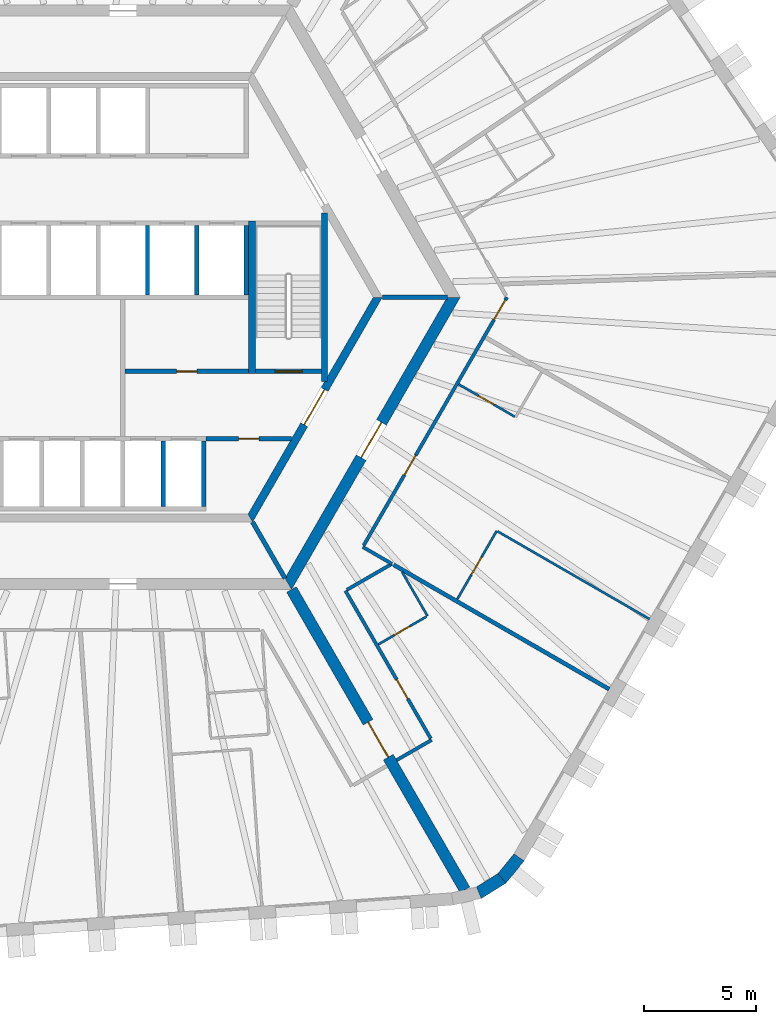
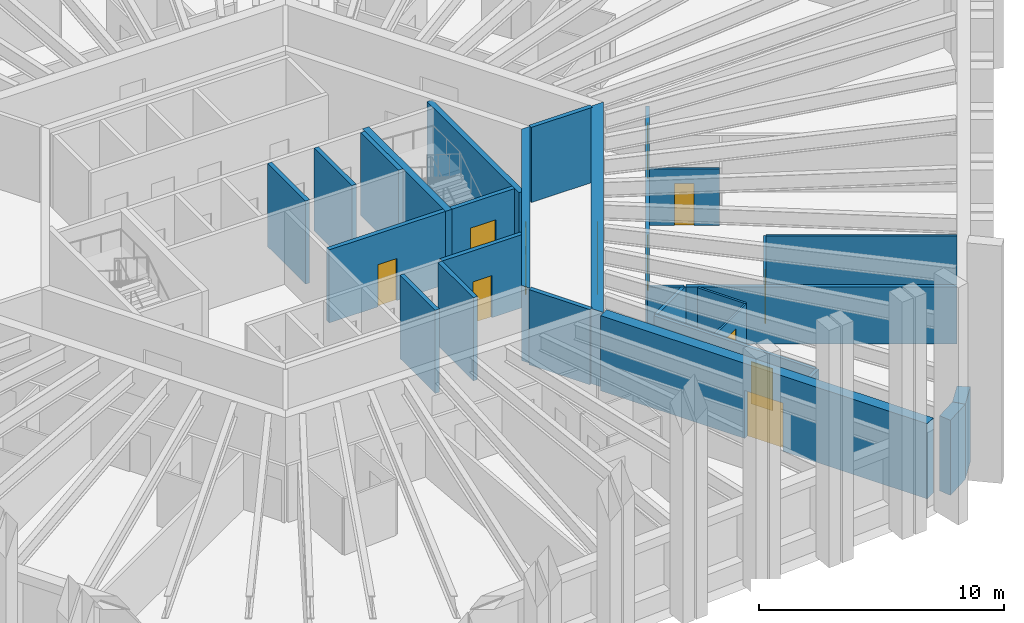
# One storey, part 5 of 10: 28 walls, 12 doors, 12 openings.
"""IFC4 building model written with IfcOpenShell, lengths in metres."""

from ifc_helpers import new_model, si_unit, direction, frame, frame_2d, origin, place, context, subcontext, project, spatial, polyline, rectangle, outline, extrude, material, layer, layer_set, type_object, element, fill, save


model = new_model("IFC4")

# Units and contexts
model_context = context("Model", 3, precision=1e-05, world=origin(), true_north=direction((0.0, 1.0)))
body_context = subcontext(model_context, "Body", "Model", "MODEL_VIEW")
ifc_project = project(units=[si_unit("LENGTHUNIT", "METRE"), si_unit("AREAUNIT", "SQUARE_METRE"), si_unit("VOLUMEUNIT", "CUBIC_METRE"), si_unit("PLANEANGLEUNIT", "RADIAN"), si_unit("MASSUNIT", "GRAM", prefix="KILO")], contexts=[model_context])

# Site, building, storey
site_placement = place(None, origin())
site = spatial("IfcSite", under=ifc_project, at=site_placement, CompositionType="ELEMENT")
building_placement = place(site_placement, origin())
building = spatial("IfcBuilding", under=site, at=building_placement, Name="Tarnside Tower", CompositionType="ELEMENT")
storey_placement = place(building_placement, frame((0.0, 0.0, 152.699951171875)))
storey = spatial("IfcBuildingStorey", under=building, at=storey_placement, Name="L35", CompositionType="ELEMENT", Elevation=152.699951171875)

# Wall
ifc_material_1 = material(Name="Gypsum board partition on steel studs", Category="steel")
ifc_layer_1 = layer(ifc_material_1, 0.10009765625)
ifc_layer_set_1 = layer_set([ifc_layer_1], Name="Bathroom wall 100")
wall_type_1 = type_object("IfcWallType", Name="Bathroom wall 100", PredefinedType="PARTITIONING", material=ifc_layer_set_1)
wall_1_placement = place(storey_placement, frame((12.42626953125, -12.22265625, 0.0), z_axis=(0.0, 0.0, 1.0), x_axis=(0.499919032186, -0.866072145528, 0.0)))
element("IfcWall", 1, at=wall_1_placement, inside=storey, type_object=wall_type_1, Name="Bathroom wall 11094", PredefinedType="PARTITIONING", context=body_context, shape_type="SweptSolid", body=[
    extrude(rectangle(XDim=2.257568359375, YDim=0.10009765625, at=frame_2d((1.12890625, 0.0))), origin(), (0.0, 0.0, 1.0), 2.823486328125),
])

# Wall, opening, door
wall_2_placement = place(storey_placement, frame((13.51171875, -14.202880859375, 0.0), z_axis=(0.0, 0.0, 1.0), x_axis=(-0.866006523861, -0.500032699561, 0.0)))
wall_2 = element("IfcWall", 2, at=wall_2_placement, inside=storey, type_object=wall_type_1, Name="Bathroom wall 11095", PredefinedType="PARTITIONING", context=body_context, shape_type="SweptSolid", body=[
    extrude(rectangle(XDim=2.474853515625, YDim=0.10009765625, at=frame_2d((1.2373046875, 0.0))), origin(), (0.0, 0.0, 1.0), 2.823486328125),
])
opening_1_placement = place(wall_2_placement, frame((0.85009765625, 0.0, 0.0)))
opening_1 = element("IfcOpeningElement", 3, at=opening_1_placement, cuts=wall_2, Name="Opening D-B1", PredefinedType="OPENING", context=body_context, shape_type="SweptSolid", body=[
    extrude(rectangle(XDim=0.800048828125, YDim=2.10009765625, at=frame_2d((0.39990234375, 1.050048828125))), frame((0.0, 0.06005859375, 0.0), z_axis=(0.0, -1.0, 0.0), x_axis=(1.0, 0.0, 0.0)), (0.0, 0.0, 1.0), 0.1201171875),
])
ifc_material_2 = material(Name="Timber door leaf", Category="wood")
door_type_1 = type_object("IfcDoorType", Name="Bathroom door 800", OperationType="NOTDEFINED", PredefinedType="DOOR", material=ifc_material_2)
door_1_placement = place(opening_1_placement, origin())
door_1 = element("IfcDoor", 4, at=door_1_placement, inside=storey, type_object=door_type_1, Name="Bathroom door 11026", OperationType="SINGLE_SWING_RIGHT", OverallHeight=2.10009765625, OverallWidth=0.800048828125, PredefinedType="DOOR", context=body_context, shape_type="SweptSolid", body=[
    extrude(rectangle(XDim=0.800048828125, YDim=2.10009765625, at=frame_2d((0.39990234375, 1.050048828125))), frame((0.0, 0.02490234375, 0.0), z_axis=(0.0, -1.0, 0.0), x_axis=(1.0, 0.0, 0.0)), (0.0, 0.0, 1.0), 0.050048828125),
])
fill(opening_1, door_1)

wall_3_placement = place(storey_placement, frame((17.430908203125, -5.308837890625, 0.0), z_axis=(0.0, 0.0, 1.0), x_axis=(-0.866018712932, 0.500011588718, 0.0)))
wall_3 = element("IfcWall", 5, at=wall_3_placement, inside=storey, type_object=wall_type_1, Name="Bathroom wall 11100", PredefinedType="PARTITIONING", context=body_context, shape_type="SweptSolid", body=[
    extrude(rectangle(XDim=2.875, YDim=0.10009765625, at=frame_2d((1.4375, 0.0))), origin(), (0.0, 0.0, 1.0), 2.823486328125),
])
opening_2_placement = place(wall_3_placement, frame((1.050048828125, 0.0, 0.0)))
opening_2 = element("IfcOpeningElement", 6, at=opening_2_placement, cuts=wall_3, Name="Opening D-B1", PredefinedType="OPENING", context=body_context, shape_type="SweptSolid", body=[
    extrude(rectangle(XDim=0.800048828125, YDim=2.10009765625, at=frame_2d((0.39990234375, 1.050048828125))), frame((0.0, 0.06005859375, 0.0), z_axis=(0.0, -1.0, 0.0), x_axis=(1.0, 0.0, 0.0)), (0.0, 0.0, 1.0), 0.1201171875),
])
door_2_placement = place(opening_2_placement, origin())
door_2 = element("IfcDoor", 7, at=door_2_placement, inside=storey, type_object=door_type_1, Name="Bathroom door 11028", OperationType="SINGLE_SWING_LEFT", OverallHeight=2.10009765625, OverallWidth=0.800048828125, PredefinedType="DOOR", context=body_context, shape_type="SweptSolid", body=[
    extrude(rectangle(XDim=0.800048828125, YDim=2.10009765625, at=frame_2d((0.39990234375, 1.050048828125))), frame((0.0, 0.02490234375, 0.0), z_axis=(0.0, -1.0, 0.0), x_axis=(1.0, 0.0, 0.0)), (0.0, 0.0, 1.0), 0.050048828125),
])
fill(opening_2, door_2)

ifc_material_3 = material(Name="Concrete C50/60", Category="concrete")
ifc_layer_2 = layer(ifc_material_3, 0.35009765625)
ifc_layer_set_2 = layer_set([ifc_layer_2], Name="Core block wall 350 C50/60")
wall_type_2 = type_object("IfcWallType", Name="Core block wall 350 C50/60", PredefinedType="SHEAR", material=ifc_layer_set_2)
wall_4_placement = place(storey_placement, frame((5.672607421875, -9.824951171875, 0.0), z_axis=(0.0, 0.0, 1.0), x_axis=(0.499995046907, 0.866028263435, 0.0)))
wall_4 = element("IfcWall", 8, at=wall_4_placement, inside=storey, type_object=wall_type_2, Name="L35 core block wall face 5", PredefinedType="SHEAR", context=body_context, shape_type="SweptSolid", body=[
    extrude(outline(polyline([(-0.10107421875, -0.175048828125), (11.44580078125, -0.175048828125), (11.24365234375, 0.175048828125), (0.10107421875, 0.175048828125), (-0.10107421875, -0.175048828125)])), origin(), (0.0, 0.0, 1.0), 3.75),
])
opening_3_placement = place(wall_4_placement, frame((4.80126953125, 0.0, 0.0)))
opening_3 = element("IfcOpeningElement", 9, at=opening_3_placement, cuts=wall_4, Name="Opening CD-FFL", PredefinedType="OPENING", context=body_context, shape_type="SweptSolid", body=[
    extrude(rectangle(XDim=1.800048828125, YDim=2.39990234375, at=frame_2d((0.89990234375, 1.199951171875))), frame((0.0, 0.18505859375, 0.0), z_axis=(0.0, -1.0, 0.0), x_axis=(1.0, 0.0, 0.0)), (0.0, 0.0, 1.0), 0.3701171875),
])
ifc_material_4 = material(Name="Steel fire door", Category="steel")
door_type_2 = type_object("IfcDoorType", Name="Firefighting lobby double door FD60S 1800x2400", OperationType="NOTDEFINED", PredefinedType="DOOR", material=ifc_material_4)
door_3_placement = place(opening_3_placement, origin())
door_3 = element("IfcDoor", 10, at=door_3_placement, inside=storey, type_object=door_type_2, Name="L35 lobby block door P4", OperationType="DOUBLE_DOOR_SINGLE_SWING", OverallHeight=2.39990234375, OverallWidth=1.800048828125, PredefinedType="DOOR", context=body_context, shape_type="SweptSolid", body=[
    extrude(rectangle(XDim=1.800048828125, YDim=2.39990234375, at=frame_2d((0.89990234375, 1.199951171875))), frame((0.0, 0.02490234375, 0.0), z_axis=(0.0, -1.0, 0.0), x_axis=(1.0, 0.0, 0.0)), (0.0, 0.0, 1.0), 0.050048828125),
])
fill(opening_3, door_3)

ifc_material_5 = material(Name="Concrete C40/50", Category="concrete")
ifc_layer_3 = layer(ifc_material_5, 0.199951171875)
ifc_layer_set_3 = layer_set([ifc_layer_3], Name="Core room partition 200 C40/50")
wall_type_3 = type_object("IfcWallType", Name="Core room partition 200 C40/50", PredefinedType="PARTITIONING", material=ifc_layer_set_3)
wall_5_placement = place(storey_placement, frame((0.10009765625, -3.300048828125, 0.0), z_axis=(0.0, 0.0, 1.0), x_axis=(1.0, 0.0, 0.0)))
wall_5 = element("IfcWall", 11, at=wall_5_placement, inside=storey, type_object=wall_type_3, Name="L35 core partition R3S1", PredefinedType="PARTITIONING", context=body_context, shape_type="SweptSolid", body=[
    extrude(rectangle(XDim=5.5, YDim=0.199951171875, at=frame_2d((2.75, 0.0))), origin(), (0.0, 0.0, 1.0), 3.650146484375),
])
opening_4_placement = place(wall_5_placement, frame((2.300048828125, 0.0, 0.0)))
opening_4 = element("IfcOpeningElement", 12, at=opening_4_placement, cuts=wall_5, Name="Opening CD-room", PredefinedType="OPENING", context=body_context, shape_type="SweptSolid", body=[
    extrude(rectangle(XDim=0.89990234375, YDim=2.10009765625, at=frame_2d((0.449951171875, 1.050048828125))), frame((0.0, 0.10986328125, 0.0), z_axis=(0.0, -1.0, 0.0), x_axis=(1.0, 0.0, 0.0)), (0.0, 0.0, 1.0), 0.219970703125),
])
door_type_3 = type_object("IfcDoorType", Name="Room door FD60 900x2100", OperationType="NOTDEFINED", PredefinedType="DOOR", material=ifc_material_4)
door_4_placement = place(opening_4_placement, origin())
door_4 = element("IfcDoor", 13, at=door_4_placement, inside=storey, type_object=door_type_3, Name="L35 core room door SR1", OperationType="SINGLE_SWING_LEFT", OverallHeight=2.10009765625, OverallWidth=0.89990234375, PredefinedType="DOOR", context=body_context, shape_type="SweptSolid", body=[
    extrude(rectangle(XDim=0.89990234375, YDim=2.10009765625, at=frame_2d((0.449951171875, 1.050048828125))), frame((0.0, 0.02490234375, 0.0), z_axis=(0.0, -1.0, 0.0), x_axis=(1.0, 0.0, 0.0)), (0.0, 0.0, 1.0), 0.050048828125),
])
fill(opening_4, door_4)

wall_6_placement = place(storey_placement, frame((3.699951171875, -6.300048828125, 0.0), z_axis=(0.0, 0.0, 1.0), x_axis=(1.0, 0.0, 0.0)))
wall_6 = element("IfcWall", 14, at=wall_6_placement, inside=storey, type_object=wall_type_3, Name="L35 core partition R4X", PredefinedType="PARTITIONING", context=body_context, shape_type="SweptSolid", body=[
    extrude(rectangle(XDim=3.8056640625, YDim=0.199951171875, at=frame_2d((1.90283203125, 0.0))), origin(), (0.0, 0.0, 1.0), 3.650146484375),
])
opening_5_placement = place(wall_6_placement, frame((1.452880859375, 0.0, 0.0)))
opening_5 = element("IfcOpeningElement", 15, at=opening_5_placement, cuts=wall_6, Name="Opening CD-room", PredefinedType="OPENING", context=body_context, shape_type="SweptSolid", body=[
    extrude(rectangle(XDim=0.89990234375, YDim=2.10009765625, at=frame_2d((0.449951171875, 1.050048828125))), frame((0.0, 0.10986328125, 0.0), z_axis=(0.0, -1.0, 0.0), x_axis=(1.0, 0.0, 0.0)), (0.0, 0.0, 1.0), 0.219970703125),
])
door_5_placement = place(opening_5_placement, origin())
door_5 = element("IfcDoor", 16, at=door_5_placement, inside=storey, type_object=door_type_3, Name="L35 core room door RX", OperationType="SINGLE_SWING_LEFT", OverallHeight=2.10009765625, OverallWidth=0.89990234375, PredefinedType="DOOR", context=body_context, shape_type="SweptSolid", body=[
    extrude(rectangle(XDim=0.89990234375, YDim=2.10009765625, at=frame_2d((0.449951171875, 1.050048828125))), frame((0.0, 0.02490234375, 0.0), z_axis=(0.0, -1.0, 0.0), x_axis=(1.0, 0.0, 0.0)), (0.0, 0.0, 1.0), 0.050048828125),
])
fill(opening_5, door_5)

ifc_material_6 = material(Name="Concrete C70/85", Category="concrete")
ifc_layer_4 = layer(ifc_material_6, 0.5)
ifc_layer_set_4 = layer_set([ifc_layer_4], Name="Core wall Z2 500 C70/85")
wall_type_4 = type_object("IfcWallType", Name="Core wall Z2 500 C70/85", PredefinedType="SHEAR", material=ifc_layer_set_4)
wall_7_placement = place(storey_placement, frame((7.361083984375, -12.75, 0.0), z_axis=(0.0, 0.0, 1.0), x_axis=(0.50000571537, 0.866022103989, 0.0)))
wall_7 = element("IfcWall", 17, at=wall_7_placement, inside=storey, type_object=wall_type_4, Name="L35 core wall face 5", PredefinedType="SHEAR", context=body_context, shape_type="SweptSolid", body=[
    extrude(outline(polyline([(-0.144287109375, -0.25), (14.86669921875, -0.25), (14.578125, 0.25), (0.144287109375, 0.25), (-0.144287109375, -0.25)])), origin(), (0.0, 0.0, 1.0), 3.75),
])
opening_6_placement = place(wall_7_placement, frame((6.489990234375, 0.0, 0.0)))
opening_6 = element("IfcOpeningElement", 18, at=opening_6_placement, cuts=wall_7, Name="Opening CD-FFL", PredefinedType="OPENING", context=body_context, shape_type="SweptSolid", body=[
    extrude(rectangle(XDim=1.800048828125, YDim=2.39990234375, at=frame_2d((0.89990234375, 1.199951171875))), frame((0.0, 0.260009765625, 0.0), z_axis=(0.0, -1.0, 0.0), x_axis=(1.0, 0.0, 0.0)), (0.0, 0.0, 1.0), 0.52001953125),
])
door_6_placement = place(opening_6_placement, origin())
door_6 = element("IfcDoor", 19, at=door_6_placement, inside=storey, type_object=door_type_2, Name="L35 core door P4", OperationType="DOUBLE_DOOR_SINGLE_SWING", OverallHeight=2.39990234375, OverallWidth=1.800048828125, PredefinedType="DOOR", context=body_context, shape_type="SweptSolid", body=[
    extrude(rectangle(XDim=1.800048828125, YDim=2.39990234375, at=frame_2d((0.89990234375, 1.199951171875))), frame((0.0, 0.02490234375, 0.0), z_axis=(0.0, -1.0, 0.0), x_axis=(1.0, 0.0, 0.0)), (0.0, 0.0, 1.0), 0.050048828125),
])
fill(opening_6, door_6)

wall_8_placement = place(storey_placement, frame((7.505615234375, -13.0, 0.0), z_axis=(0.0, 0.0, 1.0), x_axis=(0.499988271576, -0.866032175087, 0.0)))
wall_8 = element("IfcWall", 20, at=wall_8_placement, inside=storey, type_object=wall_type_4, Name="L35 spine wall 3", PredefinedType="SHEAR", context=body_context, shape_type="SweptSolid", body=[
    extrude(rectangle(XDim=15.423583984375, YDim=0.5, at=frame_2d((7.7119140625, 0.0))), origin(), (0.0, 0.0, 1.0), 3.75),
])
opening_7_placement = place(wall_8_placement, frame((6.811767578125, 0.0, 0.0)))
opening_7 = element("IfcOpeningElement", 21, at=opening_7_placement, cuts=wall_8, Name="Opening CD-SPN", PredefinedType="OPENING", context=body_context, shape_type="SweptSolid", body=[
    extrude(rectangle(XDim=1.800048828125, YDim=2.39990234375, at=frame_2d((0.89990234375, 1.199951171875))), frame((0.0, 0.260009765625, 0.0), z_axis=(0.0, -1.0, 0.0), x_axis=(1.0, 0.0, 0.0)), (0.0, 0.0, 1.0), 0.52001953125),
])
door_type_4 = type_object("IfcDoorType", Name="Spine passage double door FD60 1800x2400", OperationType="NOTDEFINED", PredefinedType="DOOR", material=ifc_material_4)
door_7_placement = place(opening_7_placement, origin())
door_7 = element("IfcDoor", 22, at=door_7_placement, inside=storey, type_object=door_type_4, Name="L35 spine passage door 3", OperationType="DOUBLE_DOOR_SINGLE_SWING", OverallHeight=2.39990234375, OverallWidth=1.800048828125, PredefinedType="DOOR", context=body_context, shape_type="SweptSolid", body=[
    extrude(rectangle(XDim=1.800048828125, YDim=2.39990234375, at=frame_2d((0.89990234375, 1.199951171875))), frame((0.0, 0.02490234375, 0.0), z_axis=(0.0, -1.0, 0.0), x_axis=(1.0, 0.0, 0.0)), (0.0, 0.0, 1.0), 0.050048828125),
])
fill(opening_7, door_7)

# Wall
ifc_layer_5 = layer(ifc_material_1, 0.14990234375)
ifc_layer_set_5 = layer_set([ifc_layer_5], Name="Corridor wall 150 EI 60")
wall_type_5 = type_object("IfcWallType", Name="Corridor wall 150 EI 60", PredefinedType="PARTITIONING", material=ifc_layer_set_5)
wall_9_placement = place(storey_placement, frame((12.177978515625, -20.5927734375, 0.0), z_axis=(0.0, 0.0, 1.0), x_axis=(0.866047807691, 0.499961193289, 0.0)))
element("IfcWall", 23, at=wall_9_placement, inside=storey, type_object=wall_type_5, Name="Corridor wall 11032", PredefinedType="PARTITIONING", context=body_context, shape_type="SweptSolid", body=[
    extrude(rectangle(XDim=1.800048828125, YDim=0.14990234375, at=frame_2d((0.89990234375, 0.0))), origin(), (0.0, 0.0, 1.0), 2.823486328125),
])

# Wall, opening, door
wall_10_placement = place(storey_placement, frame((13.69921875, -19.6279296875, 0.0), z_axis=(0.0, 0.0, 1.0), x_axis=(-0.499998968938, 0.866025999068, 0.0)))
wall_10 = element("IfcWall", 24, at=wall_10_placement, inside=storey, type_object=wall_type_5, Name="Corridor wall 11033", PredefinedType="PARTITIONING", context=body_context, shape_type="SweptSolid", body=[
    extrude(rectangle(XDim=7.591796875, YDim=0.14990234375, at=frame_2d((3.7958984375, 0.0))), origin(), (0.0, 0.0, 1.0), 2.823486328125),
])
opening_8_placement = place(wall_10_placement, frame((2.033447265625, 0.0, 0.0)))
opening_8 = element("IfcOpeningElement", 25, at=opening_8_placement, cuts=wall_10, Name="Opening D-E1", PredefinedType="OPENING", context=body_context, shape_type="SweptSolid", body=[
    extrude(rectangle(XDim=1.0, YDim=2.10009765625, at=frame_2d((0.5, 1.050048828125))), frame((0.0, 0.0849609375, 0.0), z_axis=(0.0, -1.0, 0.0), x_axis=(1.0, 0.0, 0.0)), (0.0, 0.0, 1.0), 0.169921875),
])
door_type_5 = type_object("IfcDoorType", Name="Unit entrance door 1000 FD30S", OperationType="NOTDEFINED", PredefinedType="DOOR", material=ifc_material_2)
door_8_placement = place(opening_8_placement, origin())
door_8 = element("IfcDoor", 26, at=door_8_placement, inside=storey, type_object=door_type_5, Name="Unit door 11025", OperationType="SINGLE_SWING_LEFT", OverallHeight=2.10009765625, OverallWidth=1.0, PredefinedType="DOOR", context=body_context, shape_type="SweptSolid", body=[
    extrude(rectangle(XDim=1.0, YDim=2.10009765625, at=frame_2d((0.5, 1.050048828125))), frame((0.0, 0.02490234375, 0.0), z_axis=(0.0, -1.0, 0.0), x_axis=(1.0, 0.0, 0.0)), (0.0, 0.0, 1.0), 0.050048828125),
])
fill(opening_8, door_8)

# Walls
wall_11_placement = place(storey_placement, frame((9.96826171875, -13.015625, 0.0), z_axis=(0.0, 0.0, 1.0), x_axis=(0.866022320763, 0.500005339912, 0.0)))
element("IfcWall", 27, at=wall_11_placement, inside=storey, type_object=wall_type_5, Name="Corridor wall 11035", PredefinedType="PARTITIONING", context=body_context, shape_type="SweptSolid", body=[
    extrude(rectangle(XDim=2.31591796875, YDim=0.14990234375, at=frame_2d((1.157958984375, 0.0))), origin(), (0.0, 0.0, 1.0), 2.823486328125),
])
wall_12_placement = place(storey_placement, frame((11.9765625, -11.859375, 0.0), z_axis=(0.0, 0.0, 1.0), x_axis=(-0.865993364801, 0.500055489042, 0.0)))
element("IfcWall", 28, at=wall_12_placement, inside=storey, type_object=wall_type_5, Name="Corridor wall 11036", PredefinedType="PARTITIONING", context=body_context, shape_type="SweptSolid", body=[
    extrude(rectangle(XDim=1.501708984375, YDim=0.14990234375, at=frame_2d((0.7509765625, 0.0))), origin(), (0.0, 0.0, 1.0), 2.823486328125),
])

# Wall, openings, doors
wall_13_placement = place(storey_placement, frame((10.713623046875, -11.04345703125, 0.0), z_axis=(0.0, 0.0, 1.0), x_axis=(0.500001980452, 0.866024260367, 0.0)))
wall_13 = element("IfcWall", 29, at=wall_13_placement, inside=storey, type_object=wall_type_5, Name="Corridor wall 11037", PredefinedType="PARTITIONING", context=body_context, shape_type="SweptSolid", body=[
    extrude(rectangle(XDim=12.751953125, YDim=0.14990234375, at=frame_2d((6.3759765625, 0.0))), origin(), (0.0, 0.0, 1.0), 2.823486328125),
])
opening_9_placement = place(wall_13_placement, frame((3.625, 0.0, 0.0)))
opening_9 = element("IfcOpeningElement", 30, at=opening_9_placement, cuts=wall_13, Name="Opening D-E1", PredefinedType="OPENING", context=body_context, shape_type="SweptSolid", body=[
    extrude(rectangle(XDim=1.0, YDim=2.10009765625, at=frame_2d((0.5, 1.050048828125))), frame((0.0, 0.0849609375, 0.0), z_axis=(0.0, -1.0, 0.0), x_axis=(1.0, 0.0, 0.0)), (0.0, 0.0, 1.0), 0.169921875),
])
opening_10_placement = place(wall_13_placement, frame((11.601806640625, 0.0, 0.0)))
opening_10 = element("IfcOpeningElement", 31, at=opening_10_placement, cuts=wall_13, Name="Opening D-E1", PredefinedType="OPENING", context=body_context, shape_type="SweptSolid", body=[
    extrude(rectangle(XDim=1.0, YDim=2.10009765625, at=frame_2d((0.5, 1.050048828125))), frame((0.0, 0.0849609375, 0.0), z_axis=(0.0, -1.0, 0.0), x_axis=(1.0, 0.0, 0.0)), (0.0, 0.0, 1.0), 0.169921875),
])
door_9_placement = place(opening_9_placement, origin())
door_9 = element("IfcDoor", 32, at=door_9_placement, inside=storey, type_object=door_type_5, Name="Unit door 11027", OperationType="SINGLE_SWING_RIGHT", OverallHeight=2.10009765625, OverallWidth=1.0, PredefinedType="DOOR", context=body_context, shape_type="SweptSolid", body=[
    extrude(rectangle(XDim=1.0, YDim=2.10009765625, at=frame_2d((0.5, 1.050048828125))), frame((0.0, 0.02490234375, 0.0), z_axis=(0.0, -1.0, 0.0), x_axis=(1.0, 0.0, 0.0)), (0.0, 0.0, 1.0), 0.050048828125),
])
fill(opening_9, door_9)
door_10_placement = place(opening_10_placement, origin())
door_10 = element("IfcDoor", 33, at=door_10_placement, inside=storey, type_object=door_type_5, Name="Unit door 11030", OperationType="SINGLE_SWING_LEFT", OverallHeight=2.10009765625, OverallWidth=1.0, PredefinedType="DOOR", context=body_context, shape_type="SweptSolid", body=[
    extrude(rectangle(XDim=1.0, YDim=2.10009765625, at=frame_2d((0.5, 1.050048828125))), frame((0.0, 0.02490234375, 0.0), z_axis=(0.0, -1.0, 0.0), x_axis=(1.0, 0.0, 0.0)), (0.0, 0.0, 1.0), 0.050048828125),
])
fill(opening_10, door_10)

# Walls
ifc_layer_6 = layer(ifc_material_1, 0.179931640625)
ifc_layer_set_6 = layer_set([ifc_layer_6], Name="Demising wall 180 EI 60")
wall_type_6 = type_object("IfcWallType", Name="Demising wall 180 EI 60", PredefinedType="PARTITIONING", material=ifc_layer_set_6)
wall_14_placement = place(storey_placement, frame((21.63134765625, -17.433349609375, 0.0), z_axis=(0.0, 0.0, 1.0), x_axis=(-0.866031296205, 0.499989793889, 0.0)))
element("IfcWall", 34, at=wall_14_placement, inside=storey, type_object=wall_type_6, Name="Demising wall 11096", PredefinedType="PARTITIONING", context=body_context, shape_type="SweptSolid", body=[
    extrude(rectangle(XDim=11.067138671875, YDim=0.179931640625, at=frame_2d((5.53369140625, 0.0))), origin(), (0.0, 0.0, 1.0), 2.823486328125),
])
ifc_layer_7 = layer(ifc_material_5, 0.199951171875)
ifc_layer_set_7 = layer_set([ifc_layer_7], Name="Lift shaft wall 200 C40/50")
wall_type_7 = type_object("IfcWallType", Name="Lift shaft wall 200 C40/50", PredefinedType="SHEAR", material=ifc_layer_set_7)
for number, where, z_axis, x_axis, name in (
    (35, (1.10009765625, 0.10009765625, -0.5), (0.0, 0.0, 1.0), (0.0, 1.0, 0.0), "L35 lift shaft partition R24"),
    (36, (3.300048828125, 0.10009765625, -0.5), (0.0, 0.0, 1.0), (0.0, 1.0, 0.0), "L35 lift shaft partition R25"),
    (37, (5.5, 0.10009765625, -0.5), (0.0, 0.0, 1.0), (0.0, 1.0, 0.0), "L35 lift shaft partition R26"),
):
    element("IfcWall", number, at=place(storey_placement, frame(where, z_axis=z_axis, x_axis=x_axis)), inside=storey, type_object=wall_type_7, Name=name, PredefinedType="SHEAR", context=body_context, shape_type="SweptSolid", body=[
        extrude(rectangle(XDim=3.099853515625, YDim=0.199951171875, at=frame_2d((1.5498046875, 0.0))), origin(), (0.0, 0.0, 1.0), 4.150146484375),
    ])
for number, where, z_axis, x_axis, name in (
    (38, (1.800048828125, -9.300048828125, -0.5), (0.0, 0.0, 1.0), (0.0, 1.0, 0.0), "L35 lift shaft partition R45"),
    (39, (3.60009765625, -9.300048828125, -0.5), (0.0, 0.0, 1.0), (0.0, 1.0, 0.0), "L35 lift shaft partition R46"),
):
    element("IfcWall", number, at=place(storey_placement, frame(where, z_axis=z_axis, x_axis=x_axis)), inside=storey, type_object=wall_type_7, Name=name, PredefinedType="SHEAR", context=body_context, shape_type="SweptSolid", body=[
        extrude(rectangle(XDim=2.900146484375, YDim=0.199951171875, at=frame_2d((1.4501953125, 0.0))), origin(), (0.0, 0.0, 1.0), 4.150146484375),
    ])
for number, where, z_axis, x_axis, name in (
    (40, (11.547119140625, 0.0, 0.0), (0.0, 0.0, 1.0), (1.0, 0.0, 0.0), "L35 core partition AR0"),
    (41, (5.7734375, -10.0, 0.0), (0.0, 0.0, 1.0), (0.499995765644, -0.866027848477, 0.0), "L35 core partition AR300"),
):
    element("IfcWall", number, at=place(storey_placement, frame(where, z_axis=z_axis, x_axis=x_axis)), inside=storey, type_object=wall_type_7, Name=name, PredefinedType="SHEAR", context=body_context, shape_type="SweptSolid", body=[
        extrude(rectangle(XDim=2.88671875, YDim=0.199951171875, at=frame_2d((1.443359375, 0.0))), origin(), (0.0, 0.0, 1.0), 3.75),
    ])

# Wall, opening, door
wall_15_placement = place(storey_placement, frame((5.89990234375, -3.300048828125, -0.5), z_axis=(0.0, 0.0, 1.0), x_axis=(1.0, 0.0, 0.0)))
wall_15 = element("IfcWall", 42, at=wall_15_placement, inside=storey, type_object=wall_type_7, Name="L35 stair 1 enclosure cap wall s", PredefinedType="SHEAR", context=body_context, shape_type="SweptSolid", body=[
    extrude(rectangle(XDim=2.9501953125, YDim=0.199951171875, at=frame_2d((1.47509765625, 0.0))), origin(), (0.0, 0.0, 1.0), 4.150146484375),
])
opening_11_placement = place(wall_15_placement, frame((0.875, 0.0, 0.5)))
opening_11 = element("IfcOpeningElement", 43, at=opening_11_placement, cuts=wall_15, Name="Opening CD-STR", PredefinedType="OPENING", context=body_context, shape_type="SweptSolid", body=[
    extrude(rectangle(XDim=1.199951171875, YDim=2.39990234375, at=frame_2d((0.60009765625, 1.199951171875))), frame((0.0, 0.10986328125, 0.0), z_axis=(0.0, -1.0, 0.0), x_axis=(1.0, 0.0, 0.0)), (0.0, 0.0, 1.0), 0.219970703125),
])
door_type_6 = type_object("IfcDoorType", Name="Stair door FD60S 1200x2400", OperationType="NOTDEFINED", PredefinedType="DOOR", material=ifc_material_4)
door_11_placement = place(opening_11_placement, origin())
door_11 = element("IfcDoor", 44, at=door_11_placement, inside=storey, type_object=door_type_6, Name="L35 stair 1 door", OperationType="SINGLE_SWING_LEFT", OverallHeight=2.39990234375, OverallWidth=1.199951171875, PredefinedType="DOOR", context=body_context, shape_type="SweptSolid", body=[
    extrude(rectangle(XDim=1.199951171875, YDim=2.39990234375, at=frame_2d((0.60009765625, 1.199951171875))), frame((0.0, 0.02490234375, 0.0), z_axis=(0.0, -1.0, 0.0), x_axis=(1.0, 0.0, 0.0)), (0.0, 0.0, 1.0), 0.050048828125),
])
fill(opening_11, door_11)

ifc_layer_8 = layer(ifc_material_1, 0.10009765625)
ifc_layer_set_8 = layer_set([ifc_layer_8], Name="Partition 100")
wall_type_8 = type_object("IfcWallType", Name="Partition 100", PredefinedType="PARTITIONING", material=ifc_layer_set_8)
wall_16_placement = place(storey_placement, frame((14.8779296875, -13.430419921875, 0.0), z_axis=(0.0, 0.0, 1.0), x_axis=(0.500021481416, 0.866013001128, 0.0)))
wall_16 = element("IfcWall", 45, at=wall_16_placement, inside=storey, type_object=wall_type_8, Name="Partition wall 11101", PredefinedType="PARTITIONING", context=body_context, shape_type="SweptSolid", body=[
    extrude(rectangle(XDim=3.510009765625, YDim=0.10009765625, at=frame_2d((1.7548828125, 0.0))), origin(), (0.0, 0.0, 1.0), 2.823486328125),
])
opening_12_placement = place(wall_16_placement, frame((1.260009765625, 0.0, 0.0)))
opening_12 = element("IfcOpeningElement", 46, at=opening_12_placement, cuts=wall_16, Name="Opening D-I1", PredefinedType="OPENING", context=body_context, shape_type="SweptSolid", body=[
    extrude(rectangle(XDim=0.89990234375, YDim=2.10009765625, at=frame_2d((0.449951171875, 1.050048828125))), frame((0.0, 0.06005859375, 0.0), z_axis=(0.0, -1.0, 0.0), x_axis=(1.0, 0.0, 0.0)), (0.0, 0.0, 1.0), 0.1201171875),
])
door_type_7 = type_object("IfcDoorType", Name="Internal door 900", OperationType="NOTDEFINED", PredefinedType="DOOR", material=ifc_material_2)
door_12_placement = place(opening_12_placement, origin())
door_12 = element("IfcDoor", 47, at=door_12_placement, inside=storey, type_object=door_type_7, Name="Internal door 11029", OperationType="SINGLE_SWING_RIGHT", OverallHeight=2.10009765625, OverallWidth=0.89990234375, PredefinedType="DOOR", context=body_context, shape_type="SweptSolid", body=[
    extrude(rectangle(XDim=0.89990234375, YDim=2.10009765625, at=frame_2d((0.449951171875, 1.050048828125))), frame((0.0, 0.02490234375, 0.0), z_axis=(0.0, -1.0, 0.0), x_axis=(1.0, 0.0, 0.0)), (0.0, 0.0, 1.0), 0.050048828125),
])
fill(opening_12, door_12)

# Walls
wall_17_placement = place(storey_placement, frame((16.67626953125, -10.415771484375, 0.0), z_axis=(0.0, 0.0, 1.0), x_axis=(0.866034953203, -0.499983459557, 0.0)))
element("IfcWall", 48, at=wall_17_placement, inside=storey, type_object=wall_type_8, Name="Partition wall 11102", PredefinedType="PARTITIONING", context=body_context, shape_type="SweptSolid", body=[
    extrude(rectangle(XDim=7.800048828125, YDim=0.10009765625, at=frame_2d((3.89990234375, 0.0))), origin(), (0.0, 0.0, 1.0), 2.823486328125),
])
ifc_layer_9 = layer(ifc_material_5, 0.25)
ifc_layer_set_9 = layer_set([ifc_layer_9], Name="Stair enclosure wall 250 C40/50")
wall_type_9 = type_object("IfcWallType", Name="Stair enclosure wall 250 C40/50", PredefinedType="SHEAR", material=ifc_layer_set_9)
wall_18_placement = place(storey_placement, frame((8.97509765625, -3.7548828125, -0.5), z_axis=(0.0, 0.0, 1.0), x_axis=(0.0, 1.0, 0.0)))
element("IfcWall", 49, at=wall_18_placement, inside=storey, type_object=wall_type_9, Name="L35 stair 1 enclosure wall outer", PredefinedType="SHEAR", context=body_context, shape_type="SweptSolid", body=[
    extrude(rectangle(XDim=7.509765625, YDim=0.25, at=frame_2d((3.7548828125, 0.0))), origin(), (0.0, 0.0, 1.0), 4.150146484375),
])
ifc_layer_10 = layer(ifc_material_5, 0.300048828125)
ifc_layer_set_10 = layer_set([ifc_layer_10], Name="Stair enclosure wall 300 C40/50")
wall_type_10 = type_object("IfcWallType", Name="Stair enclosure wall 300 C40/50", PredefinedType="SHEAR", material=ifc_layer_set_10)
wall_19_placement = place(storey_placement, frame((5.75, -3.39990234375, -0.5), z_axis=(0.0, 0.0, 1.0), x_axis=(0.0, 1.0, 0.0)))
element("IfcWall", 50, at=wall_19_placement, inside=storey, type_object=wall_type_10, Name="L35 stair 1 enclosure wall inner", PredefinedType="SHEAR", context=body_context, shape_type="SweptSolid", body=[
    extrude(rectangle(XDim=6.7998046875, YDim=0.300048828125, at=frame_2d((3.39990234375, 0.0))), origin(), (0.0, 0.0, 1.0), 4.150146484375),
])
ifc_material_7 = material(Name="Facing brick", Category="masonry")
ifc_layer_11 = layer(ifc_material_7, 0.10205078125)
ifc_material_8 = material(Name="Concrete C60/75 precast", Category="concrete")
ifc_layer_12 = layer(ifc_material_8, 0.347900390625)
ifc_material_9 = material(Name="Mineral wool insulation")
ifc_layer_13 = layer(ifc_material_9, 0.10009765625)
ifc_layer_set_11 = layer_set([ifc_layer_11, ifc_layer_12, ifc_layer_13], Name="Tube wall 550 brick faced")
wall_type_11 = type_object("IfcWallType", Name="Tube wall 550 brick faced", PredefinedType="SOLIDWALL", material=ifc_layer_set_11)
wall_20_placement = place(storey_placement, frame((15.839599609375, -26.48876953125, 0.0), z_axis=(0.0, 0.0, 1.0), x_axis=(0.848009655012, 0.52998077796, 0.0)))
element("IfcWall", 51, at=wall_20_placement, inside=storey, type_object=wall_type_11, Name="Tube wall L35 F4 chord 14", PredefinedType="SOLIDWALL", context=body_context, shape_type="SweptSolid", body=[
    extrude(outline(polyline([(-0.045166015625, -0.27490234375), (1.25341796875, -0.27490234375), (1.1630859375, 0.27490234375), (0.045166015625, 0.27490234375), (-0.045166015625, -0.27490234375)])), origin(), (0.0, 0.0, 1.0), 3.75),
])
wall_21_placement = place(storey_placement, frame((16.8642578125, -25.848388671875, 0.0), z_axis=(0.0, 0.0, 1.0), x_axis=(0.633842757806, 0.773461930787, 0.0)))
element("IfcWall", 52, at=wall_21_placement, inside=storey, type_object=wall_type_11, Name="Tube wall L35 F4 chord 15", PredefinedType="SOLIDWALL", context=body_context, shape_type="SweptSolid", body=[
    extrude(outline(polyline([(-0.045166015625, -0.27490234375), (1.230712890625, -0.27490234375), (1.185791015625, 0.27490234375), (0.045166015625, 0.27490234375), (-0.045166015625, -0.27490234375)])), origin(), (0.0, 0.0, 1.0), 3.75),
])

save(model, "model.ifc")
